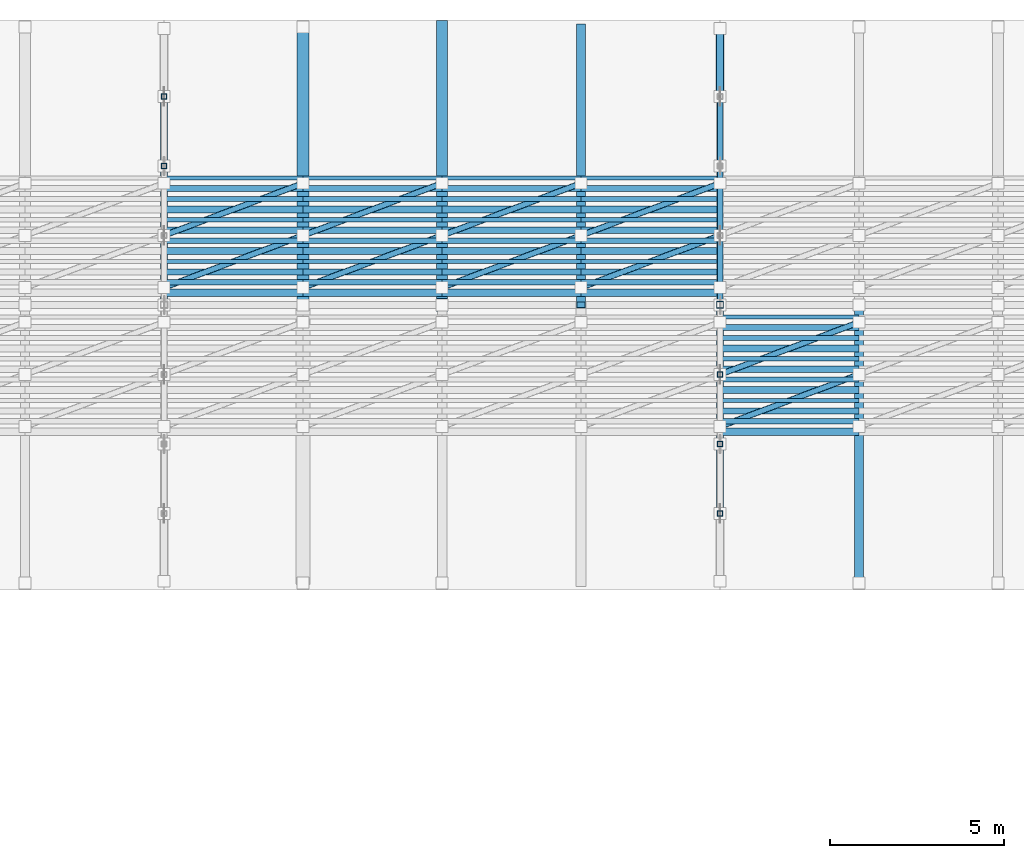
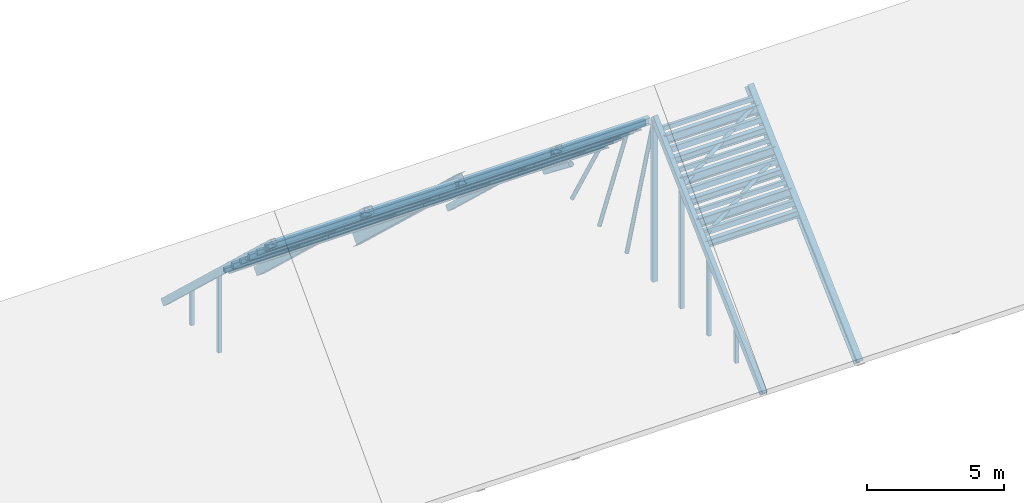
# One storey, part 4 of 18: 86 members.
"""IFC4 building model written with IfcOpenShell, lengths in metres."""

from ifc_helpers import new_model, si_unit, direction, frame, origin, origin_2d, place, context, subcontext, project, spatial, hollow_rectangle, hollow_circle, i_section, extrude, material, material_profile, profile_set, type_object, element, save


model = new_model("IFC4")

# Units and contexts
model_context = context("Model", 3, precision=1e-05, world=origin(), true_north=direction((0.0, 1.0)))
body_context = subcontext(model_context, "Body", "Model", "MODEL_VIEW")
ifc_project = project(units=[si_unit("LENGTHUNIT", "METRE"), si_unit("AREAUNIT", "SQUARE_METRE"), si_unit("VOLUMEUNIT", "CUBIC_METRE"), si_unit("PLANEANGLEUNIT", "RADIAN"), si_unit("MASSUNIT", "GRAM", prefix="KILO")], contexts=[model_context])

# Site, building, storey
site_placement = place(None, origin())
site = spatial("IfcSite", under=ifc_project, at=site_placement, CompositionType="ELEMENT")
building_placement = place(site_placement, origin())
building = spatial("IfcBuilding", under=site, at=building_placement, Name="Serraluz Foothill Cableway Terminal", CompositionType="ELEMENT")
storey_placement = place(building_placement, frame((0.0, 0.0, 24.300048828125)))
storey = spatial("IfcBuildingStorey", under=building, at=storey_placement, Name="RF", CompositionType="ELEMENT", Elevation=24.300048828125)

# Members
ifc_material_1 = material(Name="Steel ASTM A572 Grade 50", Category="steel")
ifc_material_profile_1 = material_profile(ifc_material_1, hollow_circle(Radius=0.084228515625, WallThickness=0.010009765625, at=origin_2d()), Name="CHS168X10")
ifc_profile_set_1 = profile_set([ifc_material_profile_1], Name="Steel ASTM A572 Grade 50")
member_type_1 = type_object("IfcMemberType", Name="TYP-BR-CHS168", PredefinedType="BRACE", material=ifc_profile_set_1)
member_1_placement = place(storey_placement, frame((72.0, 64.01611328125, 2.51220703125), z_axis=(0.0, 0.26797823219, -0.963424967017), x_axis=(-1.0, 0.0, 0.0)))
element("IfcMember", 1, at=member_1_placement, inside=storey, type_object=member_type_1, Name="ROOF TRUSS TR-03 Diagonal 5", PredefinedType="BRACE", context=body_context, shape_type="SweptSolid", body=[
    extrude(hollow_circle(Radius=0.084228515625, WallThickness=0.010009765625, at=origin_2d()), origin(), (0.0, 0.0, 1.0), 7.343017578125),
])
member_2_placement = place(storey_placement, frame((72.0, 66.02099609375, 0.638671875), z_axis=(0.0, 0.352230195063, -0.935913398604), x_axis=(-1.0, 0.0, 0.0)))
element("IfcMember", 2, at=member_2_placement, inside=storey, type_object=member_type_1, Name="ROOF TRUSS TR-03 Diagonal 6", PredefinedType="BRACE", context=body_context, shape_type="SweptSolid", body=[
    extrude(hollow_circle(Radius=0.084228515625, WallThickness=0.010009765625, at=origin_2d()), origin(), (0.0, 0.0, 1.0), 5.558837890625),
])
member_3_placement = place(storey_placement, frame((72.0, 68.0302734375, -1.23193359375), z_axis=(0.0, 0.502584169831, -0.864528283074), x_axis=(-1.0, 0.0, 0.0)))
element("IfcMember", 3, at=member_3_placement, inside=storey, type_object=member_type_1, Name="ROOF TRUSS TR-03 Diagonal 7", PredefinedType="BRACE", context=body_context, shape_type="SweptSolid", body=[
    extrude(hollow_circle(Radius=0.084228515625, WallThickness=0.010009765625, at=origin_2d()), origin(), (0.0, 0.0, 1.0), 3.85888671875),
])
for number, where, z_axis, x_axis, name in (
    (4, (56.0, 64.5, 2.171142578125), (0.889382269185, 0.333518350944, -0.31267345401), (-0.351123441588, 0.936329177569, 0.0), "Roof Lateral Wind Brace 0139"),
    (5, (56.0, 66.0, 0.764892578125), (0.889382269185, 0.333518350944, -0.31267345401), (-0.351123441588, 0.936329177569, 0.0), "Roof Lateral Wind Brace 0140"),
    (6, (60.0, 64.5, 2.171142578125), (0.889382269185, 0.333518350944, -0.31267345401), (-0.351123441588, 0.936329177569, 0.0), "Roof Lateral Wind Brace 0167"),
    (7, (60.0, 66.0, 0.764892578125), (0.889382269185, 0.333518350944, -0.31267345401), (-0.351123441588, 0.936329177569, 0.0), "Roof Lateral Wind Brace 0168"),
    (8, (64.0, 64.5, 2.171142578125), (0.889382269185, 0.333518350944, -0.31267345401), (-0.351123441588, 0.936329177569, 0.0), "Roof Lateral Wind Brace 0195"),
    (9, (64.0, 66.0, 0.764892578125), (0.889382269185, 0.333518350944, -0.31267345401), (-0.351123441588, 0.936329177569, 0.0), "Roof Lateral Wind Brace 0196"),
    (10, (68.0, 64.5, 2.171142578125), (0.889382269185, 0.333518350944, -0.31267345401), (-0.351123441588, 0.936329177569, 0.0), "Roof Lateral Wind Brace 0223"),
    (11, (68.0, 66.0, 0.764892578125), (0.889382269185, 0.333518350944, -0.31267345401), (-0.351123441588, 0.936329177569, 0.0), "Roof Lateral Wind Brace 0224"),
    (12, (72.0, 60.5, -0.641357421875), (0.889382269185, 0.333518350944, 0.31267345401), (-0.351123441588, 0.936329177569, 0.0), "Roof Lateral Wind Brace 0249"),
    (13, (72.0, 62.0, 0.764892578125), (0.889382269185, 0.333518350944, 0.31267345401), (-0.351123441588, 0.936329177569, 0.0), "Roof Lateral Wind Brace 0250"),
):
    element("IfcMember", number, at=place(storey_placement, frame(where, z_axis=z_axis, x_axis=x_axis)), inside=storey, type_object=member_type_1, Name=name, PredefinedType="BRACE", context=body_context, shape_type="SweptSolid", body=[
        extrude(hollow_circle(Radius=0.084228515625, WallThickness=0.010009765625, at=origin_2d()), origin(), (0.0, 0.0, 1.0), 4.49755859375),
    ])
ifc_material_profile_2 = material_profile(ifc_material_1, hollow_circle(Radius=0.109619140625, WallThickness=0.011962890625, at=origin_2d()), Name="CHS219X12")
ifc_profile_set_2 = profile_set([ifc_material_profile_2], Name="Steel ASTM A572 Grade 50")
member_type_2 = type_object("IfcMemberType", Name="TYP-BR-CHS219", PredefinedType="BRACE", material=ifc_profile_set_2)
member_4_placement = place(storey_placement, frame((72.0, 70.04736328125, -3.092041015625), z_axis=(0.0, 0.787528424659, -0.616278330265), x_axis=(-1.0, 0.0, 0.0)))
element("IfcMember", 14, at=member_4_placement, inside=storey, type_object=member_type_2, Name="ROOF TRUSS TR-03 Diagonal 8", PredefinedType="BRACE", context=body_context, shape_type="SweptSolid", body=[
    extrude(hollow_circle(Radius=0.109619140625, WallThickness=0.011962890625, at=origin_2d()), origin(), (0.0, 0.0, 1.0), 2.419189453125),
])
ifc_material_profile_3 = material_profile(ifc_material_1, hollow_rectangle(XDim=0.14990234375, YDim=0.14990234375, WallThickness=0.010009765625, at=origin_2d()), Name="HSS150X150X10")
ifc_profile_set_3 = profile_set([ifc_material_profile_3], Name="Steel ASTM A572 Grade 50")
member_type_3 = type_object("IfcMemberType", Name="TYP-BR-HSS150", PredefinedType="BRACE", material=ifc_profile_set_3)
member_5_placement = place(storey_placement, frame((56.0, 68.0, -4.610107421875), z_axis=(0.0, 0.0, 1.0), x_axis=(1.0, 0.0, 0.0)))
element("IfcMember", 15, at=member_5_placement, inside=storey, type_object=member_type_3, Name="ROOF TRUSS TR-02 Web Post 6", PredefinedType="BRACE", context=body_context, shape_type="SweptSolid", body=[
    extrude(hollow_rectangle(XDim=0.14990234375, YDim=0.14990234375, WallThickness=0.010009765625, at=origin_2d()), origin(), (0.0, 0.0, 1.0), 3.420166015625),
])
for number, where, z_axis, x_axis, name in (
    (16, (56.0, 70.0, -4.610107421875), (0.0, 0.0, 1.0), (1.0, 0.0, 0.0), "ROOF TRUSS TR-02 Web Post 7"),
    (17, (72.0, 58.0, -4.610107421875), (0.0, 0.0, 1.0), (1.0, 0.0, 0.0), "ROOF TRUSS TR-03 Web Post 1"),
):
    element("IfcMember", number, at=place(storey_placement, frame(where, z_axis=z_axis, x_axis=x_axis)), inside=storey, type_object=member_type_3, Name=name, PredefinedType="BRACE", context=body_context, shape_type="SweptSolid", body=[
        extrude(hollow_rectangle(XDim=0.14990234375, YDim=0.14990234375, WallThickness=0.010009765625, at=origin_2d()), origin(), (0.0, 0.0, 1.0), 1.545166015625),
    ])
member_6_placement = place(storey_placement, frame((72.0, 60.0, -4.610107421875), z_axis=(0.0, 0.0, 1.0), x_axis=(1.0, 0.0, 0.0)))
element("IfcMember", 18, at=member_6_placement, inside=storey, type_object=member_type_3, Name="ROOF TRUSS TR-03 Web Post 2", PredefinedType="BRACE", context=body_context, shape_type="SweptSolid", body=[
    extrude(hollow_rectangle(XDim=0.14990234375, YDim=0.14990234375, WallThickness=0.010009765625, at=origin_2d()), origin(), (0.0, 0.0, 1.0), 3.420166015625),
])
member_7_placement = place(storey_placement, frame((72.0, 62.0, -4.610107421875), z_axis=(0.0, 0.0, 1.0), x_axis=(1.0, 0.0, 0.0)))
element("IfcMember", 19, at=member_7_placement, inside=storey, type_object=member_type_3, Name="ROOF TRUSS TR-03 Web Post 3", PredefinedType="BRACE", context=body_context, shape_type="SweptSolid", body=[
    extrude(hollow_rectangle(XDim=0.14990234375, YDim=0.14990234375, WallThickness=0.010009765625, at=origin_2d()), origin(), (0.0, 0.0, 1.0), 5.295166015625),
])
ifc_material_profile_4 = material_profile(ifc_material_1, hollow_rectangle(XDim=0.199951171875, YDim=0.199951171875, WallThickness=0.011962890625, at=origin_2d()), Name="HSS200X200X12")
ifc_profile_set_4 = profile_set([ifc_material_profile_4], Name="Steel ASTM A572 Grade 50")
member_type_4 = type_object("IfcMemberType", Name="TYP-BR-HSS200", PredefinedType="BRACE", material=ifc_profile_set_4)
member_8_placement = place(storey_placement, frame((72.0, 64.0, -4.610107421875), z_axis=(0.0, 0.0, 1.0), x_axis=(1.0, 0.0, 0.0)))
element("IfcMember", 20, at=member_8_placement, inside=storey, type_object=member_type_4, Name="ROOF TRUSS TR-03 Web Post 4", PredefinedType="BRACE", context=body_context, shape_type="SweptSolid", body=[
    extrude(hollow_rectangle(XDim=0.199951171875, YDim=0.199951171875, WallThickness=0.011962890625, at=origin_2d()), origin(), (0.0, 0.0, 1.0), 7.170166015625),
])
ifc_material_2 = material(Name="Steel ASTM A992 Grade 50", Category="steel")
ifc_material_profile_5 = material_profile(ifc_material_2, i_section(OverallWidth=0.25390625, OverallDepth=0.35595703125, WebThickness=0.010498046875, FlangeThickness=0.018310546875, FilletRadius=0.014892578125, at=origin_2d()), Name="W14X68")
ifc_profile_set_5 = profile_set([ifc_material_profile_5], Name="Steel ASTM A992 Grade 50")
member_type_5 = type_object("IfcMemberType", Name="TYP-BR-W14X68", PredefinedType="BRACE", material=ifc_profile_set_5)
member_9_placement = place(storey_placement, frame((76.0, 56.0, -4.800048828125), z_axis=(0.0, 0.72953720414, 0.683941128881), x_axis=(-1.0, 0.0, 0.0)))
element("IfcMember", 21, at=member_9_placement, inside=storey, type_object=member_type_5, Name="Secondary Roof Rafter 0013", PredefinedType="BRACE", context=body_context, shape_type="SweptSolid", body=[
    extrude(i_section(OverallWidth=0.25390625, OverallDepth=0.35595703125, WebThickness=0.010498046875, FlangeThickness=0.018310546875, FilletRadius=0.014892578125, at=origin_2d()), origin(), (0.0, 0.0, 1.0), 10.9658203125),
])
ifc_material_profile_6 = material_profile(ifc_material_1, hollow_rectangle(XDim=0.25, YDim=0.25, WallThickness=0.011962890625, at=origin_2d()), Name="HSS250X250X12")
ifc_profile_set_6 = profile_set([ifc_material_profile_6], Name="Steel ASTM A572 Grade 50")
member_type_6 = type_object("IfcMemberType", Name="TYP-CH-HSS250", PredefinedType="CHORD", material=ifc_profile_set_6)
member_10_placement = place(storey_placement, frame((68.0, 72.0, -4.800048828125), z_axis=(0.0, -0.72953720414, 0.683941128881), x_axis=(1.0, 0.0, 0.0)))
element("IfcMember", 22, at=member_10_placement, inside=storey, type_object=member_type_6, Name="Secondary Roof Rafter 0012", PredefinedType="CHORD", context=body_context, shape_type="SweptSolid", body=[
    extrude(hollow_rectangle(XDim=0.25, YDim=0.25, WallThickness=0.011962890625, at=origin_2d()), origin(), (0.0, 0.0, 1.0), 10.9658203125),
])
ifc_material_profile_7 = material_profile(ifc_material_1, hollow_rectangle(XDim=0.199951171875, YDim=0.300048828125, WallThickness=0.011962890625, at=origin_2d()), Name="HSS300X200X12")
ifc_profile_set_7 = profile_set([ifc_material_profile_7], Name="Steel ASTM A572 Grade 50")
member_type_7 = type_object("IfcMemberType", Name="TYP-CH-HSS300X200", PredefinedType="CHORD", material=ifc_profile_set_7)
for number, where, z_axis, x_axis, name in (
    (23, (56.0, 72.0, -4.800048828125), (0.0, -0.72953720414, 0.683941128881), (1.0, 0.0, 0.0), "ROOF TRUSS TR-02 Top Chord 2"),
    (24, (72.0, 56.0, -4.800048828125), (0.0, 0.72953720414, 0.683941128881), (-1.0, 0.0, 0.0), "ROOF TRUSS TR-03 Top Chord 1"),
):
    element("IfcMember", number, at=place(storey_placement, frame(where, z_axis=z_axis, x_axis=x_axis)), inside=storey, type_object=member_type_7, Name=name, PredefinedType="CHORD", context=body_context, shape_type="SweptSolid", body=[
        extrude(hollow_rectangle(XDim=0.199951171875, YDim=0.300048828125, WallThickness=0.011962890625, at=origin_2d()), origin(), (0.0, 0.0, 1.0), 10.9658203125),
    ])
ifc_material_profile_8 = material_profile(ifc_material_2, i_section(OverallWidth=0.31201171875, OverallDepth=0.54296875, WebThickness=0.0126953125, FlangeThickness=0.020263671875, FilletRadius=0.01611328125, at=origin_2d()), Name="W21X101")
ifc_profile_set_8 = profile_set([ifc_material_profile_8], Name="Steel ASTM A992 Grade 50")
member_type_8 = type_object("IfcMemberType", Name="TYP-CH-W21X101", PredefinedType="CHORD", material=ifc_profile_set_8)
member_11_placement = place(storey_placement, frame((64.0, 72.0, -4.800048828125), z_axis=(0.0, -0.72953720414, 0.683941128881), x_axis=(1.0, 0.0, 0.0)))
element("IfcMember", 25, at=member_11_placement, inside=storey, type_object=member_type_8, Name="Secondary Roof Rafter 0010", PredefinedType="CHORD", context=body_context, shape_type="SweptSolid", body=[
    extrude(i_section(OverallWidth=0.31201171875, OverallDepth=0.54296875, WebThickness=0.0126953125, FlangeThickness=0.020263671875, FilletRadius=0.01611328125, at=origin_2d()), origin(), (0.0, 0.0, 1.0), 10.9658203125),
])
ifc_material_profile_9 = material_profile(ifc_material_1, hollow_rectangle(XDim=0.1201171875, YDim=0.199951171875, WallThickness=0.008056640625, at=origin_2d()), Name="HSS200X120X8")
ifc_profile_set_9 = profile_set([ifc_material_profile_9], Name="Steel ASTM A572 Grade 50")
member_type_9 = type_object("IfcMemberType", Name="TYP-PR-HSS200X120", PredefinedType="PURLIN", material=ifc_profile_set_9)
for number, where, z_axis, x_axis, name in (
    (26, (56.0, 65.25, 1.488037109375), (1.0, 0.0, 0.0), (0.0, 1.0, 0.0), "Secondary Roof Purlin 0128"),
    (27, (56.0, 66.449951171875, 0.363037109375), (1.0, 0.0, 0.0), (0.0, 1.0, 0.0), "Secondary Roof Purlin 0132"),
    (28, (56.0, 67.64990234375, -0.761962890625), (1.0, 0.0, 0.0), (0.0, 1.0, 0.0), "Secondary Roof Purlin 0136"),
    (29, (60.0, 65.25, 1.488037109375), (1.0, 0.0, 0.0), (0.0, 1.0, 0.0), "Secondary Roof Purlin 0156"),
    (30, (60.0, 66.449951171875, 0.363037109375), (1.0, 0.0, 0.0), (0.0, 1.0, 0.0), "Secondary Roof Purlin 0160"),
    (31, (60.0, 67.64990234375, -0.761962890625), (1.0, 0.0, 0.0), (0.0, 1.0, 0.0), "Secondary Roof Purlin 0164"),
    (32, (64.0, 65.25, 1.488037109375), (1.0, 0.0, 0.0), (0.0, 1.0, 0.0), "Secondary Roof Purlin 0184"),
    (33, (64.0, 66.449951171875, 0.363037109375), (1.0, 0.0, 0.0), (0.0, 1.0, 0.0), "Secondary Roof Purlin 0188"),
    (34, (64.0, 67.64990234375, -0.761962890625), (1.0, 0.0, 0.0), (0.0, 1.0, 0.0), "Secondary Roof Purlin 0192"),
    (35, (68.0, 65.25, 1.488037109375), (1.0, 0.0, 0.0), (0.0, 1.0, 0.0), "Secondary Roof Purlin 0212"),
    (36, (68.0, 66.449951171875, 0.363037109375), (1.0, 0.0, 0.0), (0.0, 1.0, 0.0), "Secondary Roof Purlin 0216"),
    (37, (68.0, 67.64990234375, -0.761962890625), (1.0, 0.0, 0.0), (0.0, 1.0, 0.0), "Secondary Roof Purlin 0220"),
    (38, (72.0, 61.25, 0.081787109375), (1.0, 0.0, 0.0), (0.0, 1.0, 0.0), "Secondary Roof Purlin 0228"),
    (39, (72.0, 62.449951171875, 1.206787109375), (1.0, 0.0, 0.0), (0.0, 1.0, 0.0), "Secondary Roof Purlin 0232"),
    (40, (72.0, 63.64990234375, 2.331787109375), (1.0, 0.0, 0.0), (0.0, 1.0, 0.0), "Secondary Roof Purlin 0236"),
):
    element("IfcMember", number, at=place(storey_placement, frame(where, z_axis=z_axis, x_axis=x_axis)), inside=storey, type_object=member_type_9, Name=name, PredefinedType="PURLIN", context=body_context, shape_type="SweptSolid", body=[
        extrude(hollow_rectangle(XDim=0.1201171875, YDim=0.199951171875, WallThickness=0.008056640625, at=origin_2d()), origin(), (0.0, 0.0, 1.0), 4.0),
    ])
ifc_material_profile_10 = material_profile(ifc_material_1, hollow_rectangle(XDim=0.14990234375, YDim=0.25, WallThickness=0.010009765625, at=origin_2d()), Name="HSS250X150X10")
ifc_profile_set_10 = profile_set([ifc_material_profile_10], Name="Steel ASTM A572 Grade 50")
member_type_10 = type_object("IfcMemberType", Name="TYP-PR-HSS250X150", PredefinedType="PURLIN", material=ifc_profile_set_10)
for number, where, z_axis, x_axis, name in (
    (41, (56.0, 64.64990234375, 2.050537109375), (1.0, 0.0, 0.0), (0.0, 1.0, 0.0), "Secondary Roof Purlin 0126"),
    (42, (56.0, 65.85009765625, 0.925537109375), (1.0, 0.0, 0.0), (0.0, 1.0, 0.0), "Secondary Roof Purlin 0130"),
    (43, (56.0, 67.050048828125, -0.199462890625), (1.0, 0.0, 0.0), (0.0, 1.0, 0.0), "Secondary Roof Purlin 0134"),
    (44, (60.0, 64.64990234375, 2.050537109375), (1.0, 0.0, 0.0), (0.0, 1.0, 0.0), "Secondary Roof Purlin 0154"),
    (45, (60.0, 65.85009765625, 0.925537109375), (1.0, 0.0, 0.0), (0.0, 1.0, 0.0), "Secondary Roof Purlin 0158"),
    (46, (60.0, 67.050048828125, -0.199462890625), (1.0, 0.0, 0.0), (0.0, 1.0, 0.0), "Secondary Roof Purlin 0162"),
    (47, (64.0, 64.64990234375, 2.050537109375), (1.0, 0.0, 0.0), (0.0, 1.0, 0.0), "Secondary Roof Purlin 0182"),
    (48, (64.0, 65.85009765625, 0.925537109375), (1.0, 0.0, 0.0), (0.0, 1.0, 0.0), "Secondary Roof Purlin 0186"),
    (49, (64.0, 67.050048828125, -0.199462890625), (1.0, 0.0, 0.0), (0.0, 1.0, 0.0), "Secondary Roof Purlin 0190"),
    (50, (68.0, 64.64990234375, 2.050537109375), (1.0, 0.0, 0.0), (0.0, 1.0, 0.0), "Secondary Roof Purlin 0210"),
    (51, (68.0, 65.85009765625, 0.925537109375), (1.0, 0.0, 0.0), (0.0, 1.0, 0.0), "Secondary Roof Purlin 0214"),
    (52, (68.0, 67.050048828125, -0.199462890625), (1.0, 0.0, 0.0), (0.0, 1.0, 0.0), "Secondary Roof Purlin 0218"),
    (53, (72.0, 60.64990234375, -0.480712890625), (1.0, 0.0, 0.0), (0.0, 1.0, 0.0), "Secondary Roof Purlin 0226"),
    (54, (72.0, 61.85009765625, 0.644287109375), (1.0, 0.0, 0.0), (0.0, 1.0, 0.0), "Secondary Roof Purlin 0230"),
    (55, (72.0, 63.050048828125, 1.769287109375), (1.0, 0.0, 0.0), (0.0, 1.0, 0.0), "Secondary Roof Purlin 0234"),
):
    element("IfcMember", number, at=place(storey_placement, frame(where, z_axis=z_axis, x_axis=x_axis)), inside=storey, type_object=member_type_10, Name=name, PredefinedType="PURLIN", context=body_context, shape_type="SweptSolid", body=[
        extrude(hollow_rectangle(XDim=0.14990234375, YDim=0.25, WallThickness=0.010009765625, at=origin_2d()), origin(), (0.0, 0.0, 1.0), 4.0),
    ])
ifc_material_profile_11 = material_profile(ifc_material_2, i_section(OverallWidth=0.205078125, OverallDepth=0.31005859375, WebThickness=0.009521484375, FlangeThickness=0.016357421875, FilletRadius=0.012939453125, at=origin_2d()), Name="W12X50")
ifc_profile_set_11 = profile_set([ifc_material_profile_11], Name="Steel ASTM A992 Grade 50")
member_type_11 = type_object("IfcMemberType", Name="TYP-PR-W12X50", PredefinedType="PURLIN", material=ifc_profile_set_11)
for number, where, z_axis, x_axis, name in (
    (56, (56.0, 64.35009765625, 2.331787109375), (1.0, 0.0, 0.0), (0.0, 1.0, 0.0), "Secondary Roof Purlin 0125"),
    (57, (56.0, 65.550048828125, 1.206787109375), (1.0, 0.0, 0.0), (0.0, 1.0, 0.0), "Secondary Roof Purlin 0129"),
    (58, (56.0, 66.75, 0.081787109375), (1.0, 0.0, 0.0), (0.0, 1.0, 0.0), "Secondary Roof Purlin 0133"),
    (59, (60.0, 64.35009765625, 2.331787109375), (1.0, 0.0, 0.0), (0.0, 1.0, 0.0), "Secondary Roof Purlin 0153"),
    (60, (60.0, 65.550048828125, 1.206787109375), (1.0, 0.0, 0.0), (0.0, 1.0, 0.0), "Secondary Roof Purlin 0157"),
    (61, (60.0, 66.75, 0.081787109375), (1.0, 0.0, 0.0), (0.0, 1.0, 0.0), "Secondary Roof Purlin 0161"),
    (62, (64.0, 64.35009765625, 2.331787109375), (1.0, 0.0, 0.0), (0.0, 1.0, 0.0), "Secondary Roof Purlin 0181"),
    (63, (64.0, 65.550048828125, 1.206787109375), (1.0, 0.0, 0.0), (0.0, 1.0, 0.0), "Secondary Roof Purlin 0185"),
    (64, (64.0, 66.75, 0.081787109375), (1.0, 0.0, 0.0), (0.0, 1.0, 0.0), "Secondary Roof Purlin 0189"),
    (65, (68.0, 64.35009765625, 2.331787109375), (1.0, 0.0, 0.0), (0.0, 1.0, 0.0), "Secondary Roof Purlin 0209"),
    (66, (68.0, 65.550048828125, 1.206787109375), (1.0, 0.0, 0.0), (0.0, 1.0, 0.0), "Secondary Roof Purlin 0213"),
    (67, (68.0, 66.75, 0.081787109375), (1.0, 0.0, 0.0), (0.0, 1.0, 0.0), "Secondary Roof Purlin 0217"),
    (68, (72.0, 60.35009765625, -0.761962890625), (1.0, 0.0, 0.0), (0.0, 1.0, 0.0), "Secondary Roof Purlin 0225"),
    (69, (72.0, 61.550048828125, 0.363037109375), (1.0, 0.0, 0.0), (0.0, 1.0, 0.0), "Secondary Roof Purlin 0229"),
    (70, (72.0, 62.75, 1.488037109375), (1.0, 0.0, 0.0), (0.0, 1.0, 0.0), "Secondary Roof Purlin 0233"),
):
    element("IfcMember", number, at=place(storey_placement, frame(where, z_axis=z_axis, x_axis=x_axis)), inside=storey, type_object=member_type_11, Name=name, PredefinedType="PURLIN", context=body_context, shape_type="SweptSolid", body=[
        extrude(i_section(OverallWidth=0.205078125, OverallDepth=0.31005859375, WebThickness=0.009521484375, FlangeThickness=0.016357421875, FilletRadius=0.012939453125, at=origin_2d()), origin(), (0.0, 0.0, 1.0), 4.0),
    ])
ifc_material_profile_12 = material_profile(ifc_material_2, i_section(OverallWidth=0.180908203125, OverallDepth=0.4169921875, WebThickness=0.010986328125, FlangeThickness=0.018310546875, FilletRadius=0.013916015625, at=origin_2d()), Name="W16X57")
ifc_profile_set_12 = profile_set([ifc_material_profile_12], Name="Steel ASTM A992 Grade 50")
member_type_12 = type_object("IfcMemberType", Name="TYP-PR-W16X57", PredefinedType="PURLIN", material=ifc_profile_set_12)
for number, where, z_axis, x_axis, name in (
    (71, (56.0, 64.949951171875, 1.769287109375), (1.0, 0.0, 0.0), (0.0, 1.0, 0.0), "Secondary Roof Purlin 0127"),
    (72, (56.0, 66.14990234375, 0.644287109375), (1.0, 0.0, 0.0), (0.0, 1.0, 0.0), "Secondary Roof Purlin 0131"),
    (73, (56.0, 67.35009765625, -0.480712890625), (1.0, 0.0, 0.0), (0.0, 1.0, 0.0), "Secondary Roof Purlin 0135"),
    (74, (60.0, 64.949951171875, 1.769287109375), (1.0, 0.0, 0.0), (0.0, 1.0, 0.0), "Secondary Roof Purlin 0155"),
    (75, (60.0, 66.14990234375, 0.644287109375), (1.0, 0.0, 0.0), (0.0, 1.0, 0.0), "Secondary Roof Purlin 0159"),
    (76, (60.0, 67.35009765625, -0.480712890625), (1.0, 0.0, 0.0), (0.0, 1.0, 0.0), "Secondary Roof Purlin 0163"),
    (77, (64.0, 64.949951171875, 1.769287109375), (1.0, 0.0, 0.0), (0.0, 1.0, 0.0), "Secondary Roof Purlin 0183"),
    (78, (64.0, 66.14990234375, 0.644287109375), (1.0, 0.0, 0.0), (0.0, 1.0, 0.0), "Secondary Roof Purlin 0187"),
    (79, (64.0, 67.35009765625, -0.480712890625), (1.0, 0.0, 0.0), (0.0, 1.0, 0.0), "Secondary Roof Purlin 0191"),
    (80, (68.0, 64.949951171875, 1.769287109375), (1.0, 0.0, 0.0), (0.0, 1.0, 0.0), "Secondary Roof Purlin 0211"),
    (81, (68.0, 66.14990234375, 0.644287109375), (1.0, 0.0, 0.0), (0.0, 1.0, 0.0), "Secondary Roof Purlin 0215"),
    (82, (68.0, 67.35009765625, -0.480712890625), (1.0, 0.0, 0.0), (0.0, 1.0, 0.0), "Secondary Roof Purlin 0219"),
    (83, (72.0, 60.949951171875, -0.199462890625), (1.0, 0.0, 0.0), (0.0, 1.0, 0.0), "Secondary Roof Purlin 0227"),
    (84, (72.0, 62.14990234375, 0.925537109375), (1.0, 0.0, 0.0), (0.0, 1.0, 0.0), "Secondary Roof Purlin 0231"),
    (85, (72.0, 63.35009765625, 2.050537109375), (1.0, 0.0, 0.0), (0.0, 1.0, 0.0), "Secondary Roof Purlin 0235"),
):
    element("IfcMember", number, at=place(storey_placement, frame(where, z_axis=z_axis, x_axis=x_axis)), inside=storey, type_object=member_type_12, Name=name, PredefinedType="PURLIN", context=body_context, shape_type="SweptSolid", body=[
        extrude(i_section(OverallWidth=0.180908203125, OverallDepth=0.4169921875, WebThickness=0.010986328125, FlangeThickness=0.018310546875, FilletRadius=0.013916015625, at=origin_2d()), origin(), (0.0, 0.0, 1.0), 4.0),
    ])
ifc_material_profile_13 = material_profile(ifc_material_1, hollow_rectangle(XDim=0.35009765625, YDim=0.35009765625, WallThickness=0.01611328125, at=origin_2d()), Name="HSS350X350X16")
ifc_profile_set_13 = profile_set([ifc_material_profile_13], Name="Steel ASTM A572 Grade 50")
member_type_13 = type_object("IfcMemberType", Name="TYP-ST-HSS350", PredefinedType="STRUT", material=ifc_profile_set_13)
member_12_placement = place(storey_placement, frame((60.0, 72.0, -4.800048828125), z_axis=(0.0, -0.72953720414, 0.683941128881), x_axis=(1.0, 0.0, 0.0)))
element("IfcMember", 86, at=member_12_placement, inside=storey, type_object=member_type_13, Name="Secondary Roof Rafter 0008", PredefinedType="STRUT", context=body_context, shape_type="SweptSolid", body=[
    extrude(hollow_rectangle(XDim=0.35009765625, YDim=0.35009765625, WallThickness=0.01611328125, at=origin_2d()), origin(), (0.0, 0.0, 1.0), 10.9658203125),
])

save(model, "model.ifc")
